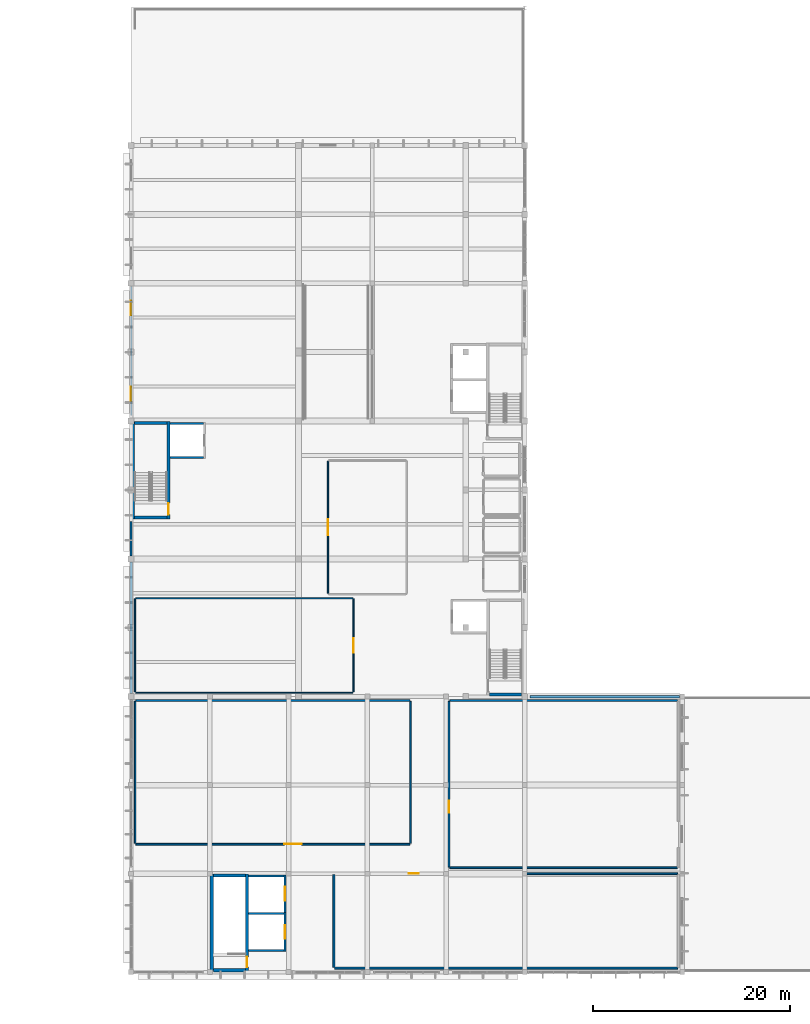
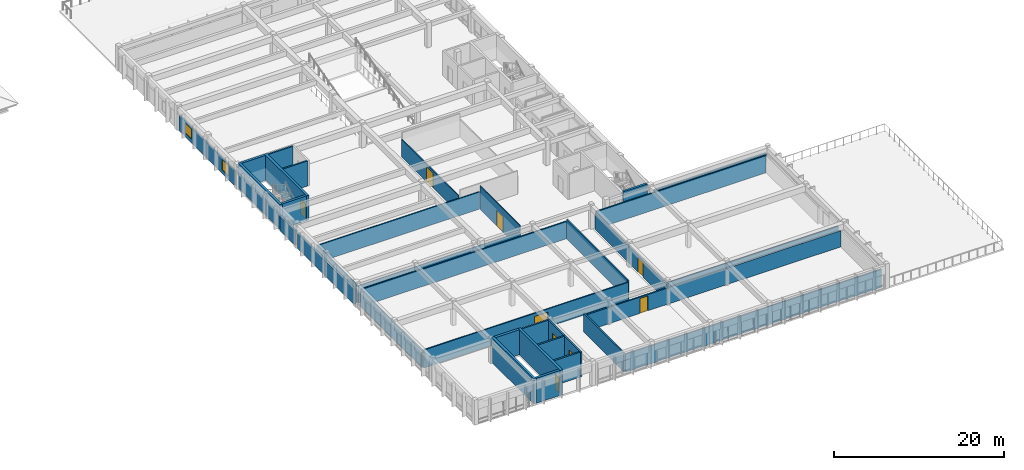
# One storey, part 22 of 33: 35 walls, 9 doors, 2 windows, 11 openings.
"""IFC4 building model written with IfcOpenShell, lengths in metres."""

from ifc_helpers import new_model, si_unit, direction, frame, frame_2d, origin, place, context, subcontext, project, spatial, rectangle, extrude, material, layer, layer_set, type_object, element, fill, save


model = new_model("IFC4")

# Units and contexts
model_context = context("Model", 3, precision=1e-05, world=origin(), true_north=direction((0.0, 1.0)))
body_context = subcontext(model_context, "Body", "Model", "MODEL_VIEW")
ifc_project = project(units=[si_unit("LENGTHUNIT", "METRE"), si_unit("AREAUNIT", "SQUARE_METRE"), si_unit("VOLUMEUNIT", "CUBIC_METRE"), si_unit("PLANEANGLEUNIT", "RADIAN"), si_unit("MASSUNIT", "GRAM", prefix="KILO")], contexts=[model_context])

# Site, building, storey
site_placement = place(None, origin())
site = spatial("IfcSite", under=ifc_project, at=site_placement, CompositionType="ELEMENT")
building_placement = place(site_placement, origin())
building = spatial("IfcBuilding", under=site, at=building_placement, Name="Larkveld Mobility Hub", CompositionType="ELEMENT")
storey_placement = place(building_placement, frame((0.0, 0.0, 15.60009765625)))
storey = spatial("IfcBuildingStorey", under=building, at=storey_placement, Name="L04", CompositionType="ELEMENT", Elevation=15.60009765625)

# Wall, openings, windows
ifc_material_1 = material(Name="Glazed architectural ceramic masonry 20 MPa", Category="masonry")
ifc_layer_1 = layer(ifc_material_1, 0.179931640625, Name="Glazed architectural ceramic masonry 20 MPa", Category="masonry")
ifc_layer_set_1 = layer_set([ifc_layer_1], Name="Glazed architectural ceramic masonry 20 MPa")
wall_type_1 = type_object("IfcWallType", Name="WL-COB-180", PredefinedType="USERDEFINED", material=ifc_layer_set_1)
wall_1_placement = place(storey_placement, frame((112.0, 69.68994140625, 0.0), z_axis=(0.0, 0.0, 1.0), x_axis=(0.0, -1.0, 0.0)))
wall_1 = element("IfcWall", 1, at=wall_1_placement, inside=storey, type_object=wall_type_1, Name="EV Wing West Ventilated Facade L04-0239", ObjectType="CERAMIC COBOGO SCREEN", PredefinedType="USERDEFINED", context=body_context, shape_type="SweptSolid", body=[
    extrude(rectangle(XDim=13.14990234375, YDim=0.179931640625, at=frame_2d((6.574951171875, 0.0))), origin(), (0.0, 0.0, 1.0), 2.19482421875),
])
opening_1_placement = place(wall_1_placement, frame((1.44189453125, 0.0, 0.4951171875)))
opening_1 = element("IfcOpeningElement", 2, at=opening_1_placement, cuts=wall_1, Name="Opening W06", PredefinedType="OPENING", context=body_context, shape_type="SweptSolid", body=[
    extrude(rectangle(XDim=1.5, YDim=1.5, at=frame_2d((0.75, 0.75))), frame((0.0, 0.10009765625, 0.0), z_axis=(0.0, -1.0, 0.0), x_axis=(1.0, 0.0, 0.0)), (0.0, 0.0, 1.0), 0.199951171875),
])
opening_2_placement = place(wall_1_placement, frame((10.2080078125, 0.0, 0.4951171875)))
opening_2 = element("IfcOpeningElement", 3, at=opening_2_placement, cuts=wall_1, Name="Opening W06", PredefinedType="OPENING", context=body_context, shape_type="SweptSolid", body=[
    extrude(rectangle(XDim=1.5, YDim=1.5, at=frame_2d((0.75, 0.75))), frame((0.0, 0.10009765625, 0.0), z_axis=(0.0, -1.0, 0.0), x_axis=(1.0, 0.0, 0.0)), (0.0, 0.0, 1.0), 0.199951171875),
])
ifc_material_2 = material(Name="Low-E double glazing in aluminium frame", Category="aluminium")
window_type = type_object("IfcWindowType", Name="WN-ALU-06", PartitioningType="SINGLE_PANEL", PredefinedType="WINDOW", material=ifc_material_2)
window_1_placement = place(opening_1_placement, origin())
window_1 = element("IfcWindow", 4, at=window_1_placement, inside=storey, type_object=window_type, Name="Window W06 (1059)", OverallHeight=1.5, OverallWidth=1.5, PartitioningType="SINGLE_PANEL", PredefinedType="WINDOW", context=body_context, shape_type="SweptSolid", body=[
    extrude(rectangle(XDim=1.5, YDim=1.5, at=frame_2d((0.75, 0.75))), frame((0.0, 0.030029296875, 0.0), z_axis=(0.0, -1.0, 0.0), x_axis=(1.0, 0.0, 0.0)), (0.0, 0.0, 1.0), 0.06005859375),
])
fill(opening_1, window_1)
window_2_placement = place(opening_2_placement, origin())
window_2 = element("IfcWindow", 5, at=window_2_placement, inside=storey, type_object=window_type, Name="Window W06 (1060)", OverallHeight=1.5, OverallWidth=1.5, PartitioningType="SINGLE_PANEL", PredefinedType="WINDOW", context=body_context, shape_type="SweptSolid", body=[
    extrude(rectangle(XDim=1.5, YDim=1.5, at=frame_2d((0.75, 0.75))), frame((0.0, 0.030029296875, 0.0), z_axis=(0.0, -1.0, 0.0), x_axis=(1.0, 0.0, 0.0)), (0.0, 0.0, 1.0), 0.06005859375),
])
fill(opening_2, window_2)

# Walls
ifc_layer_2 = layer(ifc_material_1, 0.2099609375, Name="Glazed architectural ceramic masonry 20 MPa", Category="masonry")
ifc_layer_set_2 = layer_set([ifc_layer_2], Name="Glazed architectural ceramic masonry 20 MPa")
wall_type_2 = type_object("IfcWallType", Name="WL-COB-210", PredefinedType="USERDEFINED", material=ifc_layer_set_2)
wall_2_placement = place(storey_placement, frame((112.0, 45.77001953125, 0.0), z_axis=(0.0, 0.0, 1.0), x_axis=(0.0, -1.0, 0.0)))
element("IfcWall", 6, at=wall_2_placement, inside=storey, type_object=wall_type_2, Name="EV Wing West Ventilated Facade L04-0238", ObjectType="CERAMIC COBOGO SCREEN", PredefinedType="USERDEFINED", context=body_context, shape_type="SweptSolid", body=[
    extrude(rectangle(XDim=3.4599609375, YDim=0.2099609375, at=frame_2d((1.72998046875, 0.0))), origin(), (0.0, 0.0, 1.0), 2.19482421875),
])
ifc_layer_3 = layer(ifc_material_1, 0.2451171875, Name="Glazed architectural ceramic masonry 20 MPa", Category="masonry")
ifc_layer_set_3 = layer_set([ifc_layer_3], Name="Glazed architectural ceramic masonry 20 MPa")
wall_type_3 = type_object("IfcWallType", Name="WL-COB-245", PredefinedType="USERDEFINED", material=ifc_layer_set_3)
wall_3_placement = place(storey_placement, frame((112.0, 41.68994140625, 0.0), z_axis=(0.0, 0.0, 1.0), x_axis=(0.0, -1.0, 0.0)))
element("IfcWall", 7, at=wall_3_placement, inside=storey, type_object=wall_type_3, Name="EV Wing West Ventilated Facade L04-0237", ObjectType="CERAMIC COBOGO SCREEN", PredefinedType="USERDEFINED", context=body_context, shape_type="SweptSolid", body=[
    extrude(rectangle(XDim=13.3798828125, YDim=0.2451171875, at=frame_2d((6.68994140625, 0.0))), origin(), (0.0, 0.0, 1.0), 2.19482421875),
])
ifc_material_3 = material(Name="Concrete C40/50", Category="concrete")
ifc_layer_4 = layer(ifc_material_3, 0.280029296875, Name="Concrete C40/50", Category="concrete")
ifc_layer_set_4 = layer_set([ifc_layer_4], Name="Concrete C40/50")
wall_type_4 = type_object("IfcWallType", Name="WL-CORE-280", PredefinedType="SHEAR", material=ifc_layer_set_4)
wall_4_placement = place(storey_placement, frame((151.64990234375, 28.2099609375, 0.0), z_axis=(0.0, 0.0, 1.0), x_axis=(-1.0, 0.0, 0.0)))
element("IfcWall", 8, at=wall_4_placement, inside=storey, type_object=wall_type_4, Name="Core C1 Stair Shear Wall L04-S", PredefinedType="SHEAR", context=body_context, shape_type="SweptSolid", body=[
    extrude(rectangle(XDim=3.25, YDim=0.280029296875, at=frame_2d((1.625, 0.0))), origin(), (0.0, 0.0, 1.0), 3.599853515625),
])
ifc_material_4 = material(Name="Precast concrete C50/60", Category="concrete")
ifc_layer_5 = layer(ifc_material_4, 0.239990234375, Name="Precast concrete C50/60", Category="concrete")
ifc_layer_set_5 = layer_set([ifc_layer_5], Name="Precast concrete C50/60")
wall_type_5 = type_object("IfcWallType", Name="WL-EXT-240", PredefinedType="SOLIDWALL", material=ifc_layer_set_5)
wall_5_placement = place(storey_placement, frame((167.739990234375, 28.0, 1.199951171875), z_axis=(0.0, 0.0, 1.0), x_axis=(-1.0, 0.0, 0.0)))
element("IfcWall", 9, at=wall_5_placement, inside=storey, type_object=wall_type_5, Name="Service Wing L04 North Clerestory Wall L04-0214", PredefinedType="SOLIDWALL", context=body_context, shape_type="SweptSolid", body=[
    extrude(rectangle(XDim=15.199951171875, YDim=0.239990234375, at=frame_2d((7.60009765625, 0.0))), origin(), (0.0, 0.0, 1.0), 1.294921875),
])
ifc_material_5 = material(Name="Concrete blockwork masonry 14 MPa", Category="masonry")
ifc_layer_6 = layer(ifc_material_5, 0.1201171875, Name="Concrete blockwork masonry 14 MPa", Category="masonry")
ifc_layer_set_6 = layer_set([ifc_layer_6], Name="Concrete blockwork masonry 14 MPa")
wall_type_6 = type_object("IfcWallType", Name="WL-PRT-120", PredefinedType="PARTITIONING", material=ifc_layer_set_6)
for number, where, z_axis, x_axis, name in (
    (10, (112.47998046875, 28.39990234375, 0.0), (0.0, 0.0, 1.0), (1.0, 0.0, 0.0), "Metropolitan Transport Planning Studio Partition 0219"),
    (11, (112.47998046875, 38.0, 0.0), (0.0, 0.0, 1.0), (1.0, 0.0, 0.0), "Metropolitan Transport Planning Studio Partition 0220"),
):
    element("IfcWall", number, at=place(storey_placement, frame(where, z_axis=z_axis, x_axis=x_axis)), inside=storey, type_object=wall_type_6, Name=name, PredefinedType="PARTITIONING", context=body_context, shape_type="SweptSolid", body=[
        extrude(rectangle(XDim=22.0400390625, YDim=0.1201171875, at=frame_2d((11.02001953125, 0.0))), origin(), (0.0, 0.0, 1.0), 2.494873046875),
    ])
wall_6_placement = place(storey_placement, frame((112.39990234375, 28.47998046875, 0.0), z_axis=(0.0, 0.0, 1.0), x_axis=(0.0, 1.0, 0.0)))
element("IfcWall", 12, at=wall_6_placement, inside=storey, type_object=wall_type_6, Name="Metropolitan Transport Planning Studio Partition 0221", PredefinedType="PARTITIONING", context=body_context, shape_type="SweptSolid", body=[
    extrude(rectangle(XDim=9.43994140625, YDim=0.1201171875, at=frame_2d((4.719970703125, 0.0))), origin(), (0.0, 0.0, 1.0), 2.65478515625),
])

# Wall, opening, door
wall_7_placement = place(storey_placement, frame((134.60009765625, 28.47998046875, 0.0), z_axis=(0.0, 0.0, 1.0), x_axis=(0.0, 1.0, 0.0)))
wall_7 = element("IfcWall", 13, at=wall_7_placement, inside=storey, type_object=wall_type_6, Name="Metropolitan Transport Planning Studio Partition 0222", PredefinedType="PARTITIONING", context=body_context, shape_type="SweptSolid", body=[
    extrude(rectangle(XDim=9.43994140625, YDim=0.1201171875, at=frame_2d((4.719970703125, 0.0))), origin(), (0.0, 0.0, 1.0), 3.344970703125),
])
opening_3_placement = place(wall_7_placement, frame((3.9951171875, 0.0, 0.0)))
opening_3 = element("IfcOpeningElement", 14, at=opening_3_placement, cuts=wall_7, Name="Opening DI08", PredefinedType="OPENING", context=body_context, shape_type="SweptSolid", body=[
    extrude(rectangle(XDim=1.449951171875, YDim=2.199951171875, at=frame_2d((0.72509765625, 1.10009765625))), frame((0.0, 0.070068359375, 0.0), z_axis=(0.0, -1.0, 0.0), x_axis=(1.0, 0.0, 0.0)), (0.0, 0.0, 1.0), 0.14013671875),
])
ifc_material_6 = material(Name="Solid-core hardwood timber door in aluminium frame", Category="wood")
door_type_1 = type_object("IfcDoorType", Name="DR-INT-145", OperationType="NOTDEFINED", PredefinedType="DOOR", material=ifc_material_6)
door_1_placement = place(opening_3_placement, origin())
door_1 = element("IfcDoor", 15, at=door_1_placement, inside=storey, type_object=door_type_1, Name="Metropolitan Transport Planning Studio Door 0056", OperationType="DOUBLE_DOOR_SINGLE_SWING", OverallHeight=2.199951171875, OverallWidth=1.449951171875, PredefinedType="DOOR", context=body_context, shape_type="SweptSolid", body=[
    extrude(rectangle(XDim=1.449951171875, YDim=2.199951171875, at=frame_2d((0.72509765625, 1.10009765625))), frame((0.0, 0.02490234375, 0.0), z_axis=(0.0, -1.0, 0.0), x_axis=(1.0, 0.0, 0.0)), (0.0, 0.0, 1.0), 0.050048828125),
])
fill(opening_3, door_1)

ifc_layer_7 = layer(ifc_material_5, 0.1298828125, Name="Concrete blockwork masonry 14 MPa", Category="masonry")
ifc_layer_set_7 = layer_set([ifc_layer_7], Name="Concrete blockwork masonry 14 MPa")
wall_type_7 = type_object("IfcWallType", Name="WL-PRT-130", PredefinedType="PARTITIONING", material=ifc_layer_set_7)
wall_8_placement = place(storey_placement, frame((132.0, 38.47998046875, 0.0), z_axis=(0.0, 0.0, 1.0), x_axis=(0.0, 1.0, 0.0)))
wall_8 = element("IfcWall", 16, at=wall_8_placement, inside=storey, type_object=wall_type_7, Name="Intermodal Stakeholder Briefing Room Partition 0225", PredefinedType="PARTITIONING", context=body_context, shape_type="SweptSolid", body=[
    extrude(rectangle(XDim=13.43994140625, YDim=0.1298828125, at=frame_2d((6.719970703125, 0.0))), origin(), (0.0, 0.0, 1.0), 2.494873046875),
])
opening_4_placement = place(wall_8_placement, frame((5.919921875, 0.0, 0.0)))
opening_4 = element("IfcOpeningElement", 17, at=opening_4_placement, cuts=wall_8, Name="Opening DI09", PredefinedType="OPENING", context=body_context, shape_type="SweptSolid", body=[
    extrude(rectangle(XDim=1.60009765625, YDim=2.14990234375, at=frame_2d((0.800048828125, 1.074951171875))), frame((0.0, 0.074951171875, 0.0), z_axis=(0.0, -1.0, 0.0), x_axis=(1.0, 0.0, 0.0)), (0.0, 0.0, 1.0), 0.14990234375),
])
door_type_2 = type_object("IfcDoorType", Name="DR-INT-160", OperationType="NOTDEFINED", PredefinedType="DOOR", material=ifc_material_6)
door_2_placement = place(opening_4_placement, origin())
door_2 = element("IfcDoor", 18, at=door_2_placement, inside=storey, type_object=door_type_2, Name="Intermodal Stakeholder Briefing Room Door 0057", OperationType="DOUBLE_DOOR_SINGLE_SWING", OverallHeight=2.14990234375, OverallWidth=1.60009765625, PredefinedType="DOOR", context=body_context, shape_type="SweptSolid", body=[
    extrude(rectangle(XDim=1.60009765625, YDim=2.14990234375, at=frame_2d((0.800048828125, 1.074951171875))), frame((0.0, 0.02490234375, 0.0), z_axis=(0.0, -1.0, 0.0), x_axis=(1.0, 0.0, 0.0)), (0.0, 0.0, 1.0), 0.050048828125),
])
fill(opening_4, door_2)

ifc_layer_8 = layer(ifc_material_5, 0.1650390625, Name="Concrete blockwork masonry 14 MPa", Category="masonry")
ifc_layer_set_8 = layer_set([ifc_layer_8], Name="Concrete blockwork masonry 14 MPa")
wall_type_8 = type_object("IfcWallType", Name="WL-PRT-165", PredefinedType="PARTITIONING", material=ifc_layer_set_8)
wall_9_placement = place(storey_placement, frame((112.47998046875, 13.0, 0.0), z_axis=(0.0, 0.0, 1.0), x_axis=(1.0, 0.0, 0.0)))
wall_9 = element("IfcWall", 19, at=wall_9_placement, inside=storey, type_object=wall_type_8, Name="Regional Traffic Incident Command Office Partition 0227", PredefinedType="PARTITIONING", context=body_context, shape_type="SweptSolid", body=[
    extrude(rectangle(XDim=27.840087890625, YDim=0.1650390625, at=frame_2d((13.919921875, 0.0))), origin(), (0.0, 0.0, 1.0), 2.594970703125),
])
opening_5_placement = place(wall_9_placement, frame((15.0791015625, 0.0, 0.0)))
opening_5 = element("IfcOpeningElement", 20, at=opening_5_placement, cuts=wall_9, Name="Opening DI10", PredefinedType="OPENING", context=body_context, shape_type="SweptSolid", body=[
    extrude(rectangle(XDim=1.800048828125, YDim=2.14990234375, at=frame_2d((0.89990234375, 1.074951171875))), frame((0.0, 0.092529296875, 0.0), z_axis=(0.0, -1.0, 0.0), x_axis=(1.0, 0.0, 0.0)), (0.0, 0.0, 1.0), 0.18505859375),
])
door_type_3 = type_object("IfcDoorType", Name="DR-INT-180", OperationType="NOTDEFINED", PredefinedType="DOOR", material=ifc_material_6)
door_3_placement = place(opening_5_placement, origin())
door_3 = element("IfcDoor", 21, at=door_3_placement, inside=storey, type_object=door_type_3, Name="Regional Traffic Incident Command Office Door 0058", OperationType="DOUBLE_DOOR_SINGLE_SWING", OverallHeight=2.14990234375, OverallWidth=1.800048828125, PredefinedType="DOOR", context=body_context, shape_type="SweptSolid", body=[
    extrude(rectangle(XDim=1.800048828125, YDim=2.14990234375, at=frame_2d((0.89990234375, 1.074951171875))), frame((0.0, 0.02490234375, 0.0), z_axis=(0.0, -1.0, 0.0), x_axis=(1.0, 0.0, 0.0)), (0.0, 0.0, 1.0), 0.050048828125),
])
fill(opening_5, door_3)

# Walls
wall_10_placement = place(storey_placement, frame((112.47998046875, 27.60009765625, 0.0), z_axis=(0.0, 0.0, 1.0), x_axis=(1.0, 0.0, 0.0)))
element("IfcWall", 22, at=wall_10_placement, inside=storey, type_object=wall_type_8, Name="Regional Traffic Incident Command Office Partition 0228", PredefinedType="PARTITIONING", context=body_context, shape_type="SweptSolid", body=[
    extrude(rectangle(XDim=27.840087890625, YDim=0.1650390625, at=frame_2d((13.919921875, 0.0))), origin(), (0.0, 0.0, 1.0), 2.494873046875),
])
wall_11_placement = place(storey_placement, frame((112.39990234375, 13.080078125, 0.0), z_axis=(0.0, 0.0, 1.0), x_axis=(0.0, 1.0, 0.0)))
element("IfcWall", 23, at=wall_11_placement, inside=storey, type_object=wall_type_8, Name="Regional Traffic Incident Command Office Partition 0229", PredefinedType="PARTITIONING", context=body_context, shape_type="SweptSolid", body=[
    extrude(rectangle(XDim=14.43994140625, YDim=0.1650390625, at=frame_2d((7.219970703125, 0.0))), origin(), (0.0, 0.0, 1.0), 2.494873046875),
])
wall_12_placement = place(storey_placement, frame((140.39990234375, 13.080078125, 0.0), z_axis=(0.0, 0.0, 1.0), x_axis=(0.0, 1.0, 0.0)))
element("IfcWall", 24, at=wall_12_placement, inside=storey, type_object=wall_type_8, Name="Regional Traffic Incident Command Office Partition 0230", PredefinedType="PARTITIONING", context=body_context, shape_type="SweptSolid", body=[
    extrude(rectangle(XDim=14.43994140625, YDim=0.1650390625, at=frame_2d((7.219970703125, 0.0))), origin(), (0.0, 0.0, 1.0), 2.794921875),
])
ifc_layer_9 = layer(ifc_material_5, 0.175048828125, Name="Concrete blockwork masonry 14 MPa", Category="masonry")
ifc_layer_set_9 = layer_set([ifc_layer_9], Name="Concrete blockwork masonry 14 MPa")
wall_type_9 = type_object("IfcWallType", Name="WL-PRT-175", PredefinedType="PARTITIONING", material=ifc_layer_set_9)
wall_13_placement = place(storey_placement, frame((144.3798828125, 10.60009765625, 0.0), z_axis=(0.0, 0.0, 1.0), x_axis=(1.0, 0.0, 0.0)))
element("IfcWall", 25, at=wall_13_placement, inside=storey, type_object=wall_type_9, Name="Operations Staff Wellness Cafe and Lounge Partition 0231", PredefinedType="PARTITIONING", context=body_context, shape_type="SweptSolid", body=[
    extrude(rectangle(XDim=23.13720703125, YDim=0.175048828125, at=frame_2d((11.568603515625, 0.0))), origin(), (0.0, 0.0, 1.0), 2.594970703125),
])
wall_14_placement = place(storey_placement, frame((144.3798828125, 27.596923828125, 0.0), z_axis=(0.0, 0.0, 1.0), x_axis=(1.0, 0.0, 0.0)))
element("IfcWall", 26, at=wall_14_placement, inside=storey, type_object=wall_type_9, Name="Operations Staff Wellness Cafe and Lounge Partition 0232", PredefinedType="PARTITIONING", context=body_context, shape_type="SweptSolid", body=[
    extrude(rectangle(XDim=23.13720703125, YDim=0.175048828125, at=frame_2d((11.568603515625, 0.0))), origin(), (0.0, 0.0, 1.0), 2.494873046875),
])

# Wall, opening, door
wall_15_placement = place(storey_placement, frame((144.300048828125, 10.679931640625, 0.0), z_axis=(0.0, 0.0, 1.0), x_axis=(0.0, 1.0, 0.0)))
wall_15 = element("IfcWall", 27, at=wall_15_placement, inside=storey, type_object=wall_type_9, Name="Operations Staff Wellness Cafe and Lounge Partition 0233", PredefinedType="PARTITIONING", context=body_context, shape_type="SweptSolid", body=[
    extrude(rectangle(XDim=16.837158203125, YDim=0.175048828125, at=frame_2d((8.41845703125, 0.0))), origin(), (0.0, 0.0, 1.0), 2.344970703125),
])
opening_6_placement = place(wall_15_placement, frame((5.5, 0.0, 0.0)))
opening_6 = element("IfcOpeningElement", 28, at=opening_6_placement, cuts=wall_15, Name="Opening DI11", PredefinedType="OPENING", context=body_context, shape_type="SweptSolid", body=[
    extrude(rectangle(XDim=1.25, YDim=2.10009765625, at=frame_2d((0.625, 1.050048828125))), frame((0.0, 0.09765625, 0.0), z_axis=(0.0, -1.0, 0.0), x_axis=(1.0, 0.0, 0.0)), (0.0, 0.0, 1.0), 0.195068359375),
])
door_type_4 = type_object("IfcDoorType", Name="DR-INT-125", OperationType="NOTDEFINED", PredefinedType="DOOR", material=ifc_material_6)
door_4_placement = place(opening_6_placement, origin())
door_4 = element("IfcDoor", 29, at=door_4_placement, inside=storey, type_object=door_type_4, Name="Operations Staff Wellness Cafe and Lounge Door 0059", OperationType="SINGLE_SWING_RIGHT", OverallHeight=2.10009765625, OverallWidth=1.25, PredefinedType="DOOR", context=body_context, shape_type="SweptSolid", body=[
    extrude(rectangle(XDim=1.25, YDim=2.10009765625, at=frame_2d((0.625, 1.050048828125))), frame((0.0, 0.02490234375, 0.0), z_axis=(0.0, -1.0, 0.0), x_axis=(1.0, 0.0, 0.0)), (0.0, 0.0, 1.0), 0.050048828125),
])
fill(opening_6, door_4)

# Wall
ifc_layer_10 = layer(ifc_material_5, 0.195068359375, Name="Concrete blockwork masonry 14 MPa", Category="masonry")
ifc_layer_set_10 = layer_set([ifc_layer_10], Name="Concrete blockwork masonry 14 MPa")
wall_type_10 = type_object("IfcWallType", Name="WL-PRT-195", PredefinedType="PARTITIONING", material=ifc_layer_set_10)
wall_16_placement = place(storey_placement, frame((132.679931640625, 0.39990234375, 0.0), z_axis=(0.0, 0.0, 1.0), x_axis=(1.0, 0.0, 0.0)))
element("IfcWall", 30, at=wall_16_placement, inside=storey, type_object=wall_type_10, Name="Solar Inverter and Battery Energy Plant Room Partition 0236", PredefinedType="PARTITIONING", context=body_context, shape_type="SweptSolid", body=[
    extrude(rectangle(XDim=34.840087890625, YDim=0.195068359375, at=frame_2d((17.419921875, 0.0))), origin(), (0.0, 0.0, 1.0), 2.594970703125),
])

# Wall, opening, door
wall_17_placement = place(storey_placement, frame((132.679931640625, 10.0, 0.0), z_axis=(0.0, 0.0, 1.0), x_axis=(1.0, 0.0, 0.0)))
wall_17 = element("IfcWall", 31, at=wall_17_placement, inside=storey, type_object=wall_type_10, Name="Solar Inverter and Battery Energy Plant Room Partition 0237", PredefinedType="PARTITIONING", context=body_context, shape_type="SweptSolid", body=[
    extrude(rectangle(XDim=34.840087890625, YDim=0.195068359375, at=frame_2d((17.419921875, 0.0))), origin(), (0.0, 0.0, 1.0), 2.344970703125),
])
opening_7_placement = place(wall_17_placement, frame((7.51806640625, 0.0, 0.0)))
opening_7 = element("IfcOpeningElement", 32, at=opening_7_placement, cuts=wall_17, Name="Opening DF02", PredefinedType="OPENING", context=body_context, shape_type="SweptSolid", body=[
    extrude(rectangle(XDim=1.050048828125, YDim=2.14990234375, at=frame_2d((0.52490234375, 1.074951171875))), frame((0.0, 0.107421875, 0.0), z_axis=(0.0, -1.0, 0.0), x_axis=(1.0, 0.0, 0.0)), (0.0, 0.0, 1.0), 0.215087890625),
])
ifc_material_7 = material(Name="Pressed Steel S355JR fire door assembly", Category="steel")
door_type_5 = type_object("IfcDoorType", Name="DR-FD60", OperationType="NOTDEFINED", PredefinedType="DOOR", material=ifc_material_7)
door_5_placement = place(opening_7_placement, origin())
door_5 = element("IfcDoor", 33, at=door_5_placement, inside=storey, type_object=door_type_5, Name="Solar Inverter and Battery Energy Plant Room Door 0060", OperationType="SINGLE_SWING_LEFT", OverallHeight=2.14990234375, OverallWidth=1.050048828125, PredefinedType="DOOR", context=body_context, shape_type="SweptSolid", body=[
    extrude(rectangle(XDim=1.050048828125, YDim=2.14990234375, at=frame_2d((0.52490234375, 1.074951171875))), frame((0.0, 0.02490234375, 0.0), z_axis=(0.0, -1.0, 0.0), x_axis=(1.0, 0.0, 0.0)), (0.0, 0.0, 1.0), 0.050048828125),
])
fill(opening_7, door_5)

# Walls
wall_18_placement = place(storey_placement, frame((132.60009765625, 0.47998046875, 0.0), z_axis=(0.0, 0.0, 1.0), x_axis=(0.0, 1.0, 0.0)))
element("IfcWall", 34, at=wall_18_placement, inside=storey, type_object=wall_type_10, Name="Solar Inverter and Battery Energy Plant Room Partition 0238", PredefinedType="PARTITIONING", context=body_context, shape_type="SweptSolid", body=[
    extrude(rectangle(XDim=9.43994140625, YDim=0.195068359375, at=frame_2d((4.719970703125, 0.0))), origin(), (0.0, 0.0, 1.0), 2.69482421875),
])
ifc_layer_11 = layer(ifc_material_3, 0.219970703125, Name="Concrete C40/50", Category="concrete")
ifc_layer_set_11 = layer_set([ifc_layer_11], Name="Concrete C40/50")
wall_type_11 = type_object("IfcWallType", Name="WL-SHF-220", PredefinedType="SHEAR", material=ifc_layer_set_11)
for number, where, z_axis, x_axis, name in (
    (35, (119.360107421875, 52.2900390625, 0.0), (0.0, 0.0, 1.0), (-1.0, 0.0, 0.0), "Lift PL2 Shaft Wall L04-S"),
    (36, (115.9599609375, 55.760009765625, 0.0), (0.0, 0.0, 1.0), (1.0, 0.0, 0.0), "Lift PL2 Shaft Wall L04-N"),
):
    element("IfcWall", number, at=place(storey_placement, frame(where, z_axis=z_axis, x_axis=x_axis)), inside=storey, type_object=wall_type_11, Name=name, PredefinedType="SHEAR", context=body_context, shape_type="SweptSolid", body=[
        extrude(rectangle(XDim=3.400146484375, YDim=0.219970703125, at=frame_2d((1.7001953125, 0.0))), origin(), (0.0, 0.0, 1.0), 3.599853515625),
    ])

# Wall, opening, door
wall_19_placement = place(storey_placement, frame((127.64990234375, 9.8701171875, 0.0), z_axis=(0.0, 0.0, 1.0), x_axis=(0.0, -1.0, 0.0)))
wall_19 = element("IfcWall", 37, at=wall_19_placement, inside=storey, type_object=wall_type_11, Name="Lift GL1 Shaft Wall L04-E", PredefinedType="SHEAR", context=body_context, shape_type="SweptSolid", body=[
    extrude(rectangle(XDim=3.81005859375, YDim=0.219970703125, at=frame_2d((1.905029296875, 0.0))), origin(), (0.0, 0.0, 1.0), 3.599853515625),
])
opening_8_placement = place(wall_19_placement, frame((1.205078125, 0.0, 0.0)))
opening_8 = element("IfcOpeningElement", 38, at=opening_8_placement, cuts=wall_19, Name="Opening LD03", PredefinedType="OPENING", context=body_context, shape_type="SweptSolid", body=[
    extrude(rectangle(XDim=1.39990234375, YDim=2.300048828125, at=frame_2d((0.699951171875, 1.14990234375))), frame((0.0, 0.1201171875, 0.0), z_axis=(0.0, -1.0, 0.0), x_axis=(1.0, 0.0, 0.0)), (0.0, 0.0, 1.0), 0.239990234375),
])
ifc_material_8 = material(Name="Brushed stainless Steel S355JR sliding landing door", Category="steel")
door_type_6 = type_object("IfcDoorType", Name="DR-LD-140", OperationType="DOUBLE_DOOR_SLIDING", PredefinedType="DOOR", material=ifc_material_8)
door_6_placement = place(opening_8_placement, origin())
door_6 = element("IfcDoor", 39, at=door_6_placement, inside=storey, type_object=door_type_6, Name="Lift landing door GL1-L04", OperationType="DOUBLE_DOOR_SLIDING", OverallHeight=2.300048828125, OverallWidth=1.39990234375, PredefinedType="DOOR", context=body_context, shape_type="SweptSolid", body=[
    extrude(rectangle(XDim=1.39990234375, YDim=2.300048828125, at=frame_2d((0.699951171875, 1.14990234375))), frame((0.0, 0.02490234375, 0.0), z_axis=(0.0, -1.0, 0.0), x_axis=(1.0, 0.0, 0.0)), (0.0, 0.0, 1.0), 0.050048828125),
])
fill(opening_8, door_6)

# Wall
wall_20_placement = place(storey_placement, frame((123.93994140625, 9.760009765625, 0.0), z_axis=(0.0, 0.0, 1.0), x_axis=(1.0, 0.0, 0.0)))
element("IfcWall", 40, at=wall_20_placement, inside=storey, type_object=wall_type_11, Name="Lift GL1 Shaft Wall L04-N", PredefinedType="SHEAR", context=body_context, shape_type="SweptSolid", body=[
    extrude(rectangle(XDim=3.60009765625, YDim=0.219970703125, at=frame_2d((1.800048828125, 0.0))), origin(), (0.0, 0.0, 1.0), 3.599853515625),
])

# Wall, opening, door
wall_21_placement = place(storey_placement, frame((127.64990234375, 6.06005859375, 0.0), z_axis=(0.0, 0.0, 1.0), x_axis=(0.0, -1.0, 0.0)))
wall_21 = element("IfcWall", 41, at=wall_21_placement, inside=storey, type_object=wall_type_11, Name="Lift GL2 Shaft Wall L04-E", PredefinedType="SHEAR", context=body_context, shape_type="SweptSolid", body=[
    extrude(rectangle(XDim=3.97998046875, YDim=0.219970703125, at=frame_2d((1.989990234375, 0.0))), origin(), (0.0, 0.0, 1.0), 3.599853515625),
])
opening_9_placement = place(wall_21_placement, frame((1.2900390625, 0.0, 0.0)))
opening_9 = element("IfcOpeningElement", 42, at=opening_9_placement, cuts=wall_21, Name="Opening LD03", PredefinedType="OPENING", context=body_context, shape_type="SweptSolid", body=[
    extrude(rectangle(XDim=1.39990234375, YDim=2.300048828125, at=frame_2d((0.699951171875, 1.14990234375))), frame((0.0, 0.1201171875, 0.0), z_axis=(0.0, -1.0, 0.0), x_axis=(1.0, 0.0, 0.0)), (0.0, 0.0, 1.0), 0.239990234375),
])
door_7_placement = place(opening_9_placement, origin())
door_7 = element("IfcDoor", 43, at=door_7_placement, inside=storey, type_object=door_type_6, Name="Lift landing door GL2-L04", OperationType="DOUBLE_DOOR_SLIDING", OverallHeight=2.300048828125, OverallWidth=1.39990234375, PredefinedType="DOOR", context=body_context, shape_type="SweptSolid", body=[
    extrude(rectangle(XDim=1.39990234375, YDim=2.300048828125, at=frame_2d((0.699951171875, 1.14990234375))), frame((0.0, 0.02490234375, 0.0), z_axis=(0.0, -1.0, 0.0), x_axis=(1.0, 0.0, 0.0)), (0.0, 0.0, 1.0), 0.050048828125),
])
fill(opening_9, door_7)

# Walls
for number, where, z_axis, x_axis, name in (
    (44, (127.5400390625, 2.18994140625, 0.0), (0.0, 0.0, 1.0), (-1.0, 0.0, 0.0), "Lift GL2 Shaft Wall L04-S"),
    (45, (123.93994140625, 5.949951171875, 0.0), (0.0, 0.0, 1.0), (1.0, 0.0, 0.0), "Lift GL2 Shaft Wall L04-N"),
):
    element("IfcWall", number, at=place(storey_placement, frame(where, z_axis=z_axis, x_axis=x_axis)), inside=storey, type_object=wall_type_11, Name=name, PredefinedType="SHEAR", context=body_context, shape_type="SweptSolid", body=[
        extrude(rectangle(XDim=3.60009765625, YDim=0.219970703125, at=frame_2d((1.800048828125, 0.0))), origin(), (0.0, 0.0, 1.0), 3.599853515625),
    ])
ifc_layer_12 = layer(ifc_material_3, 0.320068359375, Name="Concrete C40/50", Category="concrete")
ifc_layer_set_12 = layer_set([ifc_layer_12], Name="Concrete C40/50")
wall_type_12 = type_object("IfcWallType", Name="WL-SHR-03", PredefinedType="SHEAR", material=ifc_layer_set_12)
wall_22_placement = place(storey_placement, frame((112.18994140625, 46.030029296875, 0.0), z_axis=(0.0, 0.0, 1.0), x_axis=(0.0, 1.0, 0.0)))
element("IfcWall", 46, at=wall_22_placement, inside=storey, type_object=wall_type_12, Name="Core C3 Stair Shear Wall L04-W", PredefinedType="SHEAR", context=body_context, shape_type="SweptSolid", body=[
    extrude(rectangle(XDim=9.93994140625, YDim=0.320068359375, at=frame_2d((4.969970703125, 0.0))), origin(), (0.0, 0.0, 1.0), 3.599853515625),
])

# Wall, opening, door
wall_23_placement = place(storey_placement, frame((115.800048828125, 55.969970703125, 0.0), z_axis=(0.0, 0.0, 1.0), x_axis=(0.0, -1.0, 0.0)))
wall_23 = element("IfcWall", 47, at=wall_23_placement, inside=storey, type_object=wall_type_12, Name="Core C3 Stair Shear Wall L04-E", PredefinedType="SHEAR", context=body_context, shape_type="SweptSolid", body=[
    extrude(rectangle(XDim=9.93994140625, YDim=0.320068359375, at=frame_2d((4.969970703125, 0.0))), origin(), (0.0, 0.0, 1.0), 3.599853515625),
])
opening_10_placement = place(wall_23_placement, frame((8.320068359375, 0.0, 0.0)))
opening_10 = element("IfcOpeningElement", 48, at=opening_10_placement, cuts=wall_23, Name="Opening DF01", PredefinedType="OPENING", context=body_context, shape_type="SweptSolid", body=[
    extrude(rectangle(XDim=1.14990234375, YDim=2.14990234375, at=frame_2d((0.574951171875, 1.074951171875))), frame((0.0, 0.169921875, 0.0), z_axis=(0.0, -1.0, 0.0), x_axis=(1.0, 0.0, 0.0)), (0.0, 0.0, 1.0), 0.340087890625),
])
door_type_7 = type_object("IfcDoorType", Name="DR-FD120", OperationType="NOTDEFINED", PredefinedType="DOOR", material=ifc_material_7)
door_8_placement = place(opening_10_placement, origin())
door_8 = element("IfcDoor", 49, at=door_8_placement, inside=storey, type_object=door_type_7, Name="Stair ST3 Fire Door L04", OperationType="SINGLE_SWING_RIGHT", OverallHeight=2.14990234375, OverallWidth=1.14990234375, PredefinedType="DOOR", context=body_context, shape_type="SweptSolid", body=[
    extrude(rectangle(XDim=1.14990234375, YDim=2.14990234375, at=frame_2d((0.574951171875, 1.074951171875))), frame((0.0, 0.02490234375, 0.0), z_axis=(0.0, -1.0, 0.0), x_axis=(1.0, 0.0, 0.0)), (0.0, 0.0, 1.0), 0.050048828125),
])
fill(opening_10, door_8)

# Walls
for number, where, z_axis, x_axis, name in (
    (50, (115.639892578125, 46.18994140625, 0.0), (0.0, 0.0, 1.0), (-1.0, 0.0, 0.0), "Core C3 Stair Shear Wall L04-S"),
    (51, (112.35009765625, 55.81005859375, 0.0), (0.0, 0.0, 1.0), (1.0, 0.0, 0.0), "Core C3 Stair Shear Wall L04-N"),
):
    element("IfcWall", number, at=place(storey_placement, frame(where, z_axis=z_axis, x_axis=x_axis)), inside=storey, type_object=wall_type_12, Name=name, PredefinedType="SHEAR", context=body_context, shape_type="SweptSolid", body=[
        extrude(rectangle(XDim=3.289794921875, YDim=0.320068359375, at=frame_2d((1.64501953125, 0.0))), origin(), (0.0, 0.0, 1.0), 3.599853515625),
    ])
ifc_layer_13 = layer(ifc_material_3, 0.340087890625, Name="Concrete C40/50", Category="concrete")
ifc_layer_set_13 = layer_set([ifc_layer_13], Name="Concrete C40/50")
wall_type_13 = type_object("IfcWallType", Name="WL-SHR-04", PredefinedType="SHEAR", material=ifc_layer_set_13)
wall_24_placement = place(storey_placement, frame((120.179931640625, 0.010009765625, 0.0), z_axis=(0.0, 0.0, 1.0), x_axis=(0.0, 1.0, 0.0)))
element("IfcWall", 52, at=wall_24_placement, inside=storey, type_object=wall_type_13, Name="Core C4 Stair Shear Wall L04-W", PredefinedType="SHEAR", context=body_context, shape_type="SweptSolid", body=[
    extrude(rectangle(XDim=9.97998046875, YDim=0.340087890625, at=frame_2d((4.989990234375, 0.0))), origin(), (0.0, 0.0, 1.0), 3.599853515625),
])

# Wall, opening, door
wall_25_placement = place(storey_placement, frame((123.77001953125, 9.989990234375, 0.0), z_axis=(0.0, 0.0, 1.0), x_axis=(0.0, -1.0, 0.0)))
wall_25 = element("IfcWall", 53, at=wall_25_placement, inside=storey, type_object=wall_type_13, Name="Core C4 Stair Shear Wall L04-E", PredefinedType="SHEAR", context=body_context, shape_type="SweptSolid", body=[
    extrude(rectangle(XDim=9.97998046875, YDim=0.340087890625, at=frame_2d((4.989990234375, 0.0))), origin(), (0.0, 0.0, 1.0), 3.599853515625),
])
opening_11_placement = place(wall_25_placement, frame((8.43994140625, 0.0, 0.0)))
opening_11 = element("IfcOpeningElement", 54, at=opening_11_placement, cuts=wall_25, Name="Opening DF02", PredefinedType="OPENING", context=body_context, shape_type="SweptSolid", body=[
    extrude(rectangle(XDim=1.050048828125, YDim=2.14990234375, at=frame_2d((0.52490234375, 1.074951171875))), frame((0.0, 0.18017578125, 0.0), z_axis=(0.0, -1.0, 0.0), x_axis=(1.0, 0.0, 0.0)), (0.0, 0.0, 1.0), 0.360107421875),
])
door_9_placement = place(opening_11_placement, origin())
door_9 = element("IfcDoor", 55, at=door_9_placement, inside=storey, type_object=door_type_5, Name="Stair ST4 Fire Door L04", OperationType="SINGLE_SWING_LEFT", OverallHeight=2.14990234375, OverallWidth=1.050048828125, PredefinedType="DOOR", context=body_context, shape_type="SweptSolid", body=[
    extrude(rectangle(XDim=1.050048828125, YDim=2.14990234375, at=frame_2d((0.52490234375, 1.074951171875))), frame((0.0, 0.02490234375, 0.0), z_axis=(0.0, -1.0, 0.0), x_axis=(1.0, 0.0, 0.0)), (0.0, 0.0, 1.0), 0.050048828125),
])
fill(opening_11, door_9)

# Walls
for number, where, z_axis, x_axis, name in (
    (56, (123.60009765625, 0.179931640625, 0.0), (0.0, 0.0, 1.0), (-1.0, 0.0, 0.0), "Core C4 Stair Shear Wall L04-S"),
    (57, (120.35009765625, 9.820068359375, 0.0), (0.0, 0.0, 1.0), (1.0, 0.0, 0.0), "Core C4 Stair Shear Wall L04-N"),
):
    element("IfcWall", number, at=place(storey_placement, frame(where, z_axis=z_axis, x_axis=x_axis)), inside=storey, type_object=wall_type_13, Name=name, PredefinedType="SHEAR", context=body_context, shape_type="SweptSolid", body=[
        extrude(rectangle(XDim=3.25, YDim=0.340087890625, at=frame_2d((1.625, 0.0))), origin(), (0.0, 0.0, 1.0), 3.599853515625),
    ])

save(model, "model.ifc")
